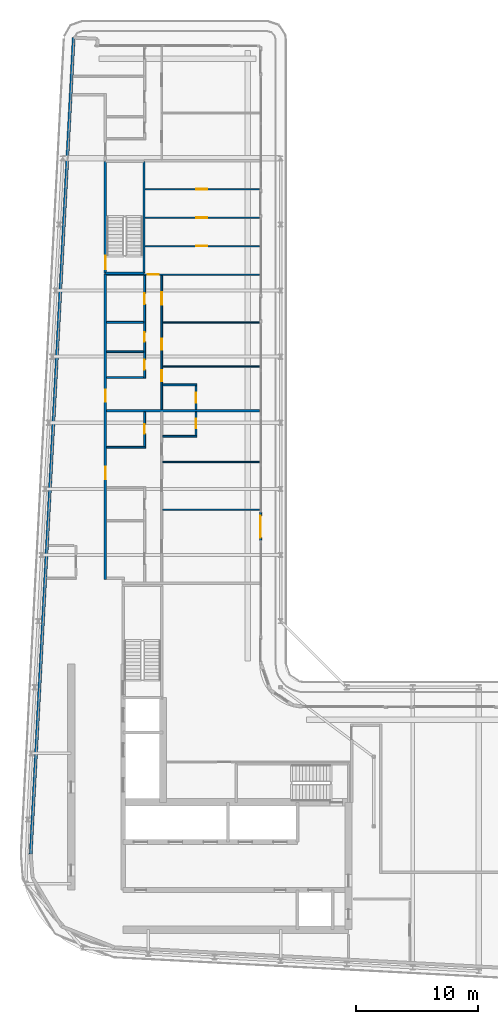
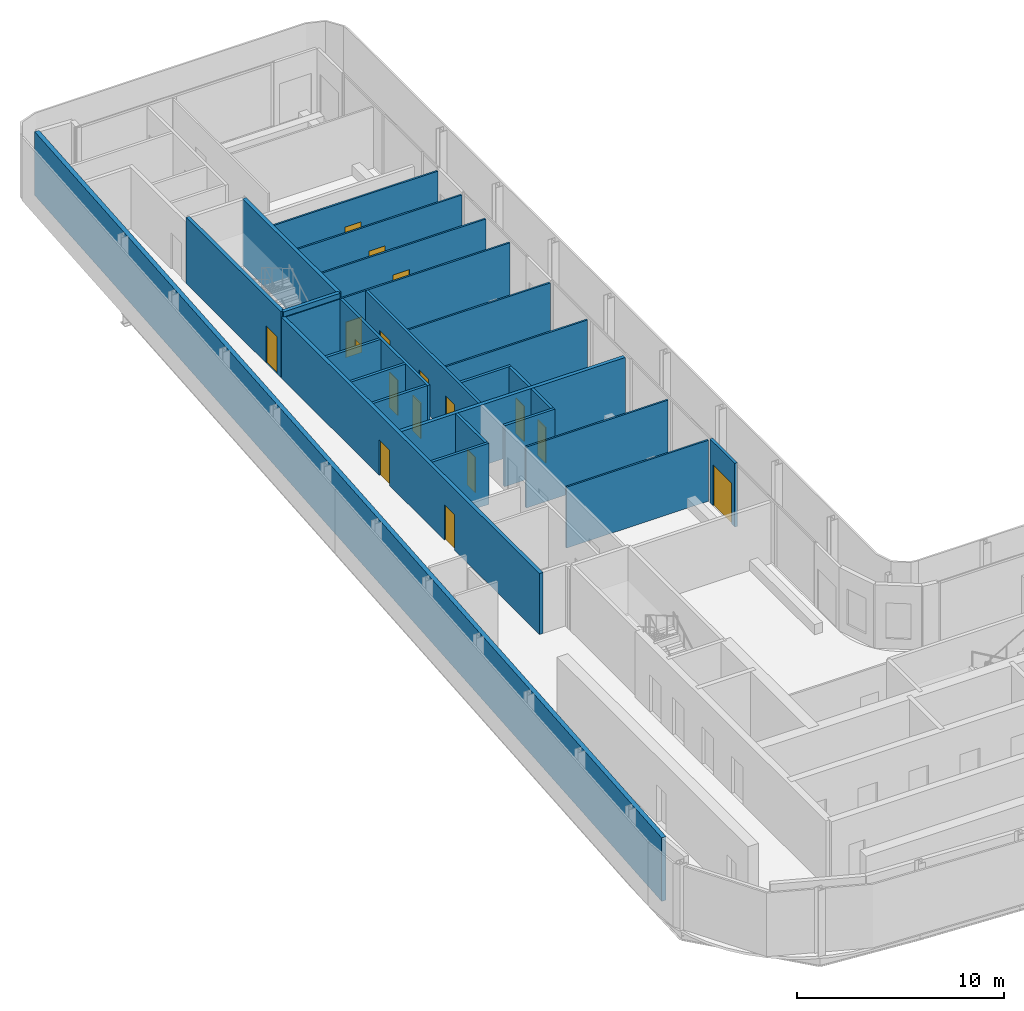
# One storey, part 13 of 20: 26 walls, 17 doors, 17 openings.
"""IFC4 building model written with IfcOpenShell, lengths in metres."""

from ifc_helpers import new_model, si_unit, direction, frame, frame_2d, origin, place, context, subcontext, project, spatial, rectangle, extrude, source, transform, mapped, material, layer, layer_set, type_object, element, fill, save


model = new_model("IFC4")

# Units and contexts
model_context = context("Model", 3, precision=1e-05, world=origin(), true_north=direction((0.0, 1.0)))
body_context = subcontext(model_context, "Body", "Model", "MODEL_VIEW")
ifc_project = project(units=[si_unit("LENGTHUNIT", "METRE"), si_unit("AREAUNIT", "SQUARE_METRE"), si_unit("VOLUMEUNIT", "CUBIC_METRE"), si_unit("PLANEANGLEUNIT", "RADIAN"), si_unit("MASSUNIT", "GRAM", prefix="KILO")], contexts=[model_context])

# Site, building, storey
site_placement = place(None, origin())
site = spatial("IfcSite", under=ifc_project, at=site_placement, CompositionType="ELEMENT")
building_placement = place(site_placement, origin())
building = spatial("IfcBuilding", under=site, at=building_placement, Name="Kheshtan School and Residences Tower", CompositionType="ELEMENT")
storey_placement = place(building_placement, frame((0.0, 0.0, 286.39990234375)))
storey = spatial("IfcBuildingStorey", under=building, at=storey_placement, Name="L67", CompositionType="ELEMENT", Elevation=286.39990234375)

# Wall, openings, doors
ifc_material_1 = material(Name="Gypsum board on steel studs with fire boards", Category="steel")
ifc_layer_1 = layer(ifc_material_1, 0.199951171875)
ifc_layer_set_1 = layer_set([ifc_layer_1], Name="Corridor wall 200")
wall_type_1 = type_object("IfcWallType", Name="Corridor wall 200", PredefinedType="PARTITIONING", material=ifc_layer_set_1)
wall_1_placement = place(storey_placement, frame((33.300048828125, 54.39990234375, 0.0), z_axis=(0.0, 0.0, 1.0), x_axis=(0.0, 1.0, 0.0)))
wall_1 = element("IfcWall", 1, at=wall_1_placement, inside=storey, type_object=wall_type_1, Name="Partition L67-003", PredefinedType="PARTITIONING", context=body_context, shape_type="SweptSolid", body=[
    extrude(rectangle(XDim=24.9501953125, YDim=0.199951171875, at=frame_2d((12.47509765625, 0.0))), origin(), (0.0, 0.0, 1.0), 3.60009765625),
])
opening_1_placement = place(wall_1_placement, frame((8.199951171875, 0.0, 0.0)))
opening_1 = element("IfcOpeningElement", 2, at=opening_1_placement, cuts=wall_1, Name="Opening D66-004", PredefinedType="OPENING", context=body_context, shape_type="SweptSolid", body=[
    extrude(rectangle(XDim=1.0, YDim=2.10009765625, at=frame_2d((0.5, 1.050048828125))), frame((0.0, 0.10986328125, 0.0), z_axis=(0.0, -1.0, 0.0), x_axis=(1.0, 0.0, 0.0)), (0.0, 0.0, 1.0), 0.219970703125),
])
opening_2_placement = place(wall_1_placement, frame((14.5, 0.0, 0.0)))
opening_2 = element("IfcOpeningElement", 3, at=opening_2_placement, cuts=wall_1, Name="Opening D66-012", PredefinedType="OPENING", context=body_context, shape_type="SweptSolid", body=[
    extrude(rectangle(XDim=1.0, YDim=2.10009765625, at=frame_2d((0.5, 1.050048828125))), frame((0.0, 0.10986328125, 0.0), z_axis=(0.0, -1.0, 0.0), x_axis=(1.0, 0.0, 0.0)), (0.0, 0.0, 1.0), 0.219970703125),
])
ifc_material_2 = material(Name="Steel-framed fire-resisting door leaf", Category="steel")
door_type_1 = type_object("IfcDoorType", Name="Fire door FD30S 1000 x 2100", OperationType="SINGLE_SWING_LEFT", PredefinedType="DOOR", material=ifc_material_2)
shared_shape_1 = source(origin(), body_context, "Body", "SweptSolid", [
    extrude(rectangle(XDim=1.0, YDim=2.10009765625, at=frame_2d((0.5, 1.050048828125))), frame((0.0, 0.02490234375, 0.0), z_axis=(0.0, -1.0, 0.0), x_axis=(1.0, 0.0, 0.0)), (0.0, 0.0, 1.0), 0.050048828125),
])
door_1_placement = place(opening_1_placement, origin())
door_1 = element("IfcDoor", 4, at=door_1_placement, inside=storey, type_object=door_type_1, Name="Door D66-004", OperationType="SINGLE_SWING_RIGHT", OverallHeight=2.10009765625, OverallWidth=1.0, PredefinedType="DOOR", context=body_context, shape_type="MappedRepresentation", body=[
    mapped(shared_shape_1, transform((0.0, 0.0, 0.0), x_axis=(1.0, 0.0, 0.0), y_axis=(0.0, 1.0, 0.0), z_axis=(0.0, 0.0, 1.0), scale=1.0)),
])
fill(opening_1, door_1)
door_2_placement = place(opening_2_placement, origin())
door_2 = element("IfcDoor", 5, at=door_2_placement, inside=storey, type_object=door_type_1, Name="Door D66-012", OperationType="SINGLE_SWING_RIGHT", OverallHeight=2.10009765625, OverallWidth=1.0, PredefinedType="DOOR", context=body_context, shape_type="MappedRepresentation", body=[
    mapped(shared_shape_1, transform((0.0, 0.0, 0.0), x_axis=(1.0, 0.0, 0.0), y_axis=(0.0, 1.0, 0.0), z_axis=(0.0, 0.0, 1.0), scale=1.0)),
])
fill(opening_2, door_2)

# Wall
ifc_material_3 = material(Name="Concrete C40/50 with ceramic cladding and mineral wool insulation", Category="concrete")
ifc_layer_2 = layer(ifc_material_3, 0.25)
ifc_layer_set_2 = layer_set([ifc_layer_2], Name="External wall 250 ceramic clad")
wall_type_2 = type_object("IfcWallType", Name="External wall 250 ceramic clad", PredefinedType="SOLIDWALL", material=ifc_layer_set_2)
wall_2_placement = place(storey_placement, frame((27.195068359375, 31.968994140625, 0.0), z_axis=(0.0, 0.0, 1.0), x_axis=(0.052554995867, 0.998618031286, 0.0)))
element("IfcWall", 6, at=wall_2_placement, inside=storey, type_object=wall_type_2, Name="External wall L67 4", PredefinedType="SOLIDWALL", context=body_context, shape_type="SweptSolid", body=[
    extrude(rectangle(XDim=66.787353515625, YDim=0.25, at=frame_2d((33.3935546875, 0.0))), origin(), (0.0, 0.0, 1.0), 3.75),
])

# Wall, opening, door
ifc_material_4 = material(Name="Aluminium frame wall with insulated infill", Category="aluminium")
ifc_layer_3 = layer(ifc_material_4, 0.14990234375)
ifc_layer_set_3 = layer_set([ifc_layer_3], Name="Glazing frame wall 150")
wall_type_3 = type_object("IfcWallType", Name="Glazing frame wall 150", PredefinedType="SOLIDWALL", material=ifc_layer_set_3)
wall_3_placement = place(storey_placement, frame((45.97509765625, 59.924072265625, 0.0), z_axis=(0.0, 0.0, 1.0), x_axis=(0.0, -1.0, 0.0)))
wall_3 = element("IfcWall", 7, at=wall_3_placement, inside=storey, type_object=wall_type_3, Name="Balcony door wall L67 8.4", PredefinedType="SOLIDWALL", context=body_context, shape_type="SweptSolid", body=[
    extrude(rectangle(XDim=2.400146484375, YDim=0.14990234375, at=frame_2d((1.2001953125, 0.0))), origin(), (0.0, 0.0, 1.0), 3.75),
])
opening_3_placement = place(wall_3_placement, frame((0.300048828125, 0.0, 0.0)))
opening_3 = element("IfcOpeningElement", 8, at=opening_3_placement, cuts=wall_3, Name="Opening BD", PredefinedType="OPENING", context=body_context, shape_type="SweptSolid", body=[
    extrude(rectangle(XDim=1.800048828125, YDim=2.39990234375, at=frame_2d((0.89990234375, 1.199951171875))), frame((0.0, 0.0849609375, 0.0), z_axis=(0.0, -1.0, 0.0), x_axis=(1.0, 0.0, 0.0)), (0.0, 0.0, 1.0), 0.169921875),
])
ifc_material_5 = material(Name="Clear low-e glass in thermally broken aluminium frame", Category="aluminium")
door_type_2 = type_object("IfcDoorType", Name="Balcony sliding door", OperationType="SLIDING_TO_LEFT", PredefinedType="DOOR", material=ifc_material_5)
shared_shape_2 = source(origin(), body_context, "Body", "SweptSolid", [
    extrude(rectangle(XDim=1.800048828125, YDim=2.39990234375, at=frame_2d((0.89990234375, 1.199951171875))), frame((0.0, 0.02490234375, 0.0), z_axis=(0.0, -1.0, 0.0), x_axis=(1.0, 0.0, 0.0)), (0.0, 0.0, 1.0), 0.050048828125),
])
door_3_placement = place(opening_3_placement, origin())
door_3 = element("IfcDoor", 9, at=door_3_placement, inside=storey, type_object=door_type_2, Name="Balcony door L67 8.4", OperationType="SLIDING_TO_LEFT", OverallHeight=2.39990234375, OverallWidth=1.800048828125, PredefinedType="DOOR", context=body_context, shape_type="MappedRepresentation", body=[
    mapped(shared_shape_2, transform((0.0, 0.0, 0.0), x_axis=(1.0, 0.0, 0.0), y_axis=(0.0, 1.0, 0.0), z_axis=(0.0, 0.0, 1.0), scale=1.0)),
])
fill(opening_3, door_3)

ifc_material_6 = material(Name="Gypsum board on steel studs", Category="steel")
ifc_layer_4 = layer(ifc_material_6, 0.10009765625)
ifc_layer_set_4 = layer_set([ifc_layer_4], Name="Gypsum partition 100")
wall_type_4 = type_object("IfcWallType", Name="Gypsum partition 100", PredefinedType="PARTITIONING", material=ifc_layer_set_4)
wall_4_placement = place(storey_placement, frame((33.39990234375, 79.300048828125, 0.0), z_axis=(0.0, 0.0, 1.0), x_axis=(1.0, 0.0, 0.0)))
wall_4 = element("IfcWall", 10, at=wall_4_placement, inside=storey, type_object=wall_type_4, Name="Partition L67-013", PredefinedType="PARTITIONING", context=body_context, shape_type="SweptSolid", body=[
    extrude(rectangle(XDim=12.5, YDim=0.10009765625, at=frame_2d((6.25, 0.0))), origin(), (0.0, 0.0, 1.0), 3.60009765625),
])
opening_4_placement = place(wall_4_placement, frame((3.35498046875, 0.0, 0.0)))
opening_4 = element("IfcOpeningElement", 11, at=opening_4_placement, cuts=wall_4, Name="Opening D66-017", PredefinedType="OPENING", context=body_context, shape_type="SweptSolid", body=[
    extrude(rectangle(XDim=0.89990234375, YDim=2.10009765625, at=frame_2d((0.449951171875, 1.050048828125))), frame((0.0, 0.06005859375, 0.0), z_axis=(0.0, -1.0, 0.0), x_axis=(1.0, 0.0, 0.0)), (0.0, 0.0, 1.0), 0.1201171875),
])
ifc_material_7 = material(Name="Veneered timber door leaf", Category="wood")
door_type_3 = type_object("IfcDoorType", Name="Door 900 x 2100", OperationType="SINGLE_SWING_LEFT", PredefinedType="DOOR", material=ifc_material_7)
shared_shape_3 = source(origin(), body_context, "Body", "SweptSolid", [
    extrude(rectangle(XDim=0.89990234375, YDim=2.10009765625, at=frame_2d((0.449951171875, 1.050048828125))), frame((0.0, 0.02490234375, 0.0), z_axis=(0.0, -1.0, 0.0), x_axis=(1.0, 0.0, 0.0)), (0.0, 0.0, 1.0), 0.050048828125),
])
door_4_placement = place(opening_4_placement, origin())
door_4 = element("IfcDoor", 12, at=door_4_placement, inside=storey, type_object=door_type_3, Name="Door D66-017", OperationType="SINGLE_SWING_LEFT", OverallHeight=2.10009765625, OverallWidth=0.89990234375, PredefinedType="DOOR", context=body_context, shape_type="MappedRepresentation", body=[
    mapped(shared_shape_3, transform((0.0, 0.0, 0.0), x_axis=(1.0, 0.0, 0.0), y_axis=(0.0, 1.0, 0.0), z_axis=(0.0, 0.0, 1.0), scale=1.0)),
])
fill(opening_4, door_4)

wall_5_placement = place(storey_placement, frame((36.549072265625, 81.625, 0.0), z_axis=(0.0, 0.0, 1.0), x_axis=(1.0, 0.0, 0.0)))
wall_5 = element("IfcWall", 13, at=wall_5_placement, inside=storey, type_object=wall_type_4, Name="Partition L67-023", PredefinedType="PARTITIONING", context=body_context, shape_type="SweptSolid", body=[
    extrude(rectangle(XDim=9.350830078125, YDim=0.10009765625, at=frame_2d((4.67529296875, 0.0))), origin(), (0.0, 0.0, 1.0), 3.60009765625),
])
opening_5_placement = place(wall_5_placement, frame((4.176025390625, 0.0, 0.0)))
opening_5 = element("IfcOpeningElement", 14, at=opening_5_placement, cuts=wall_5, Name="Opening D66-018", PredefinedType="OPENING", context=body_context, shape_type="SweptSolid", body=[
    extrude(rectangle(XDim=0.89990234375, YDim=2.10009765625, at=frame_2d((0.449951171875, 1.050048828125))), frame((0.0, 0.06005859375, 0.0), z_axis=(0.0, -1.0, 0.0), x_axis=(1.0, 0.0, 0.0)), (0.0, 0.0, 1.0), 0.1201171875),
])
door_5_placement = place(opening_5_placement, origin())
door_5 = element("IfcDoor", 15, at=door_5_placement, inside=storey, type_object=door_type_3, Name="Door D66-018", OperationType="SINGLE_SWING_RIGHT", OverallHeight=2.10009765625, OverallWidth=0.89990234375, PredefinedType="DOOR", context=body_context, shape_type="MappedRepresentation", body=[
    mapped(shared_shape_3, transform((0.0, 0.0, 0.0), x_axis=(1.0, 0.0, 0.0), y_axis=(0.0, 1.0, 0.0), z_axis=(0.0, 0.0, 1.0), scale=1.0)),
])
fill(opening_5, door_5)

wall_6_placement = place(storey_placement, frame((36.549072265625, 83.949951171875, 0.0), z_axis=(0.0, 0.0, 1.0), x_axis=(1.0, 0.0, 0.0)))
wall_6 = element("IfcWall", 16, at=wall_6_placement, inside=storey, type_object=wall_type_4, Name="Partition L67-024", PredefinedType="PARTITIONING", context=body_context, shape_type="SweptSolid", body=[
    extrude(rectangle(XDim=9.350830078125, YDim=0.10009765625, at=frame_2d((4.67529296875, 0.0))), origin(), (0.0, 0.0, 1.0), 3.60009765625),
])
opening_6_placement = place(wall_6_placement, frame((4.176025390625, 0.0, 0.0)))
opening_6 = element("IfcOpeningElement", 17, at=opening_6_placement, cuts=wall_6, Name="Opening D66-019", PredefinedType="OPENING", context=body_context, shape_type="SweptSolid", body=[
    extrude(rectangle(XDim=0.89990234375, YDim=2.10009765625, at=frame_2d((0.449951171875, 1.050048828125))), frame((0.0, 0.06005859375, 0.0), z_axis=(0.0, -1.0, 0.0), x_axis=(1.0, 0.0, 0.0)), (0.0, 0.0, 1.0), 0.1201171875),
])
door_6_placement = place(opening_6_placement, origin())
door_6 = element("IfcDoor", 18, at=door_6_placement, inside=storey, type_object=door_type_3, Name="Door D66-019", OperationType="SINGLE_SWING_RIGHT", OverallHeight=2.10009765625, OverallWidth=0.89990234375, PredefinedType="DOOR", context=body_context, shape_type="MappedRepresentation", body=[
    mapped(shared_shape_3, transform((0.0, 0.0, 0.0), x_axis=(1.0, 0.0, 0.0), y_axis=(0.0, 1.0, 0.0), z_axis=(0.0, 0.0, 1.0), scale=1.0)),
])
fill(opening_6, door_6)

wall_7_placement = place(storey_placement, frame((36.549072265625, 86.27490234375, 0.0), z_axis=(0.0, 0.0, 1.0), x_axis=(1.0, 0.0, 0.0)))
wall_7 = element("IfcWall", 19, at=wall_7_placement, inside=storey, type_object=wall_type_4, Name="Partition L67-025", PredefinedType="PARTITIONING", context=body_context, shape_type="SweptSolid", body=[
    extrude(rectangle(XDim=9.350830078125, YDim=0.10009765625, at=frame_2d((4.67529296875, 0.0))), origin(), (0.0, 0.0, 1.0), 3.60009765625),
])
opening_7_placement = place(wall_7_placement, frame((4.176025390625, 0.0, 0.0)))
opening_7 = element("IfcOpeningElement", 20, at=opening_7_placement, cuts=wall_7, Name="Opening D66-020", PredefinedType="OPENING", context=body_context, shape_type="SweptSolid", body=[
    extrude(rectangle(XDim=0.89990234375, YDim=2.10009765625, at=frame_2d((0.449951171875, 1.050048828125))), frame((0.0, 0.06005859375, 0.0), z_axis=(0.0, -1.0, 0.0), x_axis=(1.0, 0.0, 0.0)), (0.0, 0.0, 1.0), 0.1201171875),
])
door_7_placement = place(opening_7_placement, origin())
door_7 = element("IfcDoor", 21, at=door_7_placement, inside=storey, type_object=door_type_3, Name="Door D66-020", OperationType="SINGLE_SWING_RIGHT", OverallHeight=2.10009765625, OverallWidth=0.89990234375, PredefinedType="DOOR", context=body_context, shape_type="MappedRepresentation", body=[
    mapped(shared_shape_3, transform((0.0, 0.0, 0.0), x_axis=(1.0, 0.0, 0.0), y_axis=(0.0, 1.0, 0.0), z_axis=(0.0, 0.0, 1.0), scale=1.0)),
])
fill(opening_7, door_7)

# Walls
for number, where, z_axis, x_axis, name in (
    (22, (37.97509765625, 60.10009765625, 0.0), (0.0, 0.0, 1.0), (1.0, 0.0, 0.0), "Partition L67-030"),
    (23, (37.97509765625, 64.0, 0.0), (0.0, 0.0, 1.0), (1.0, 0.0, 0.0), "Partition L67-031"),
    (24, (37.97509765625, 71.800048828125, 0.0), (0.0, 0.0, 1.0), (1.0, 0.0, 0.0), "Partition L67-034"),
    (25, (37.97509765625, 75.39990234375, 0.0), (0.0, 0.0, 1.0), (1.0, 0.0, 0.0), "Partition L67-035"),
):
    element("IfcWall", number, at=place(storey_placement, frame(where, z_axis=z_axis, x_axis=x_axis)), inside=storey, type_object=wall_type_4, Name=name, PredefinedType="PARTITIONING", context=body_context, shape_type="SweptSolid", body=[
        extrude(rectangle(XDim=7.9248046875, YDim=0.10009765625, at=frame_2d((3.96240234375, 0.0))), origin(), (0.0, 0.0, 1.0), 3.60009765625),
    ])
ifc_material_8 = material(Name="Concrete C40/50", Category="concrete")
ifc_layer_5 = layer(ifc_material_8, 0.199951171875)
ifc_layer_set_5 = layer_set([ifc_layer_5], Name="Stair enclosure wall 200 Concrete C40/50")
wall_type_5 = type_object("IfcWallType", Name="Stair enclosure wall 200 Concrete C40/50", PredefinedType="SHEAR", material=ifc_layer_set_5)
wall_8_placement = place(storey_placement, frame((33.300048828125, 79.39990234375, 0.0), z_axis=(0.0, 0.0, 1.0), x_axis=(1.0, 0.0, 0.0)))
element("IfcWall", 26, at=wall_8_placement, inside=storey, type_object=wall_type_5, Name="Stair enclosure wall ST3", PredefinedType="SHEAR", context=body_context, shape_type="SweptSolid", body=[
    extrude(rectangle(XDim=3.14990234375, YDim=0.199951171875, at=frame_2d((1.574951171875, 0.0))), origin(), (0.0, 0.0, 1.0), 3.900146484375),
])

# Wall, opening, door
wall_9_placement = place(storey_placement, frame((33.300048828125, 79.39990234375, 0.0), z_axis=(0.0, 0.0, 1.0), x_axis=(0.0, 1.0, 0.0)))
wall_9 = element("IfcWall", 27, at=wall_9_placement, inside=storey, type_object=wall_type_5, Name="Stair enclosure wall ST3", PredefinedType="SHEAR", context=body_context, shape_type="SweptSolid", body=[
    extrude(rectangle(XDim=9.16015625, YDim=0.199951171875, at=frame_2d((4.580078125, 0.0))), origin(), (0.0, 0.0, 1.0), 3.900146484375),
])
opening_8_placement = place(wall_9_placement, frame((0.35009765625, 0.0, 0.0)))
opening_8 = element("IfcOpeningElement", 28, at=opening_8_placement, cuts=wall_9, Name="Opening ST3D", PredefinedType="OPENING", context=body_context, shape_type="SweptSolid", body=[
    extrude(rectangle(XDim=1.10009765625, YDim=2.199951171875, at=frame_2d((0.550048828125, 1.10009765625))), frame((0.0, 0.10986328125, 0.0), z_axis=(0.0, -1.0, 0.0), x_axis=(1.0, 0.0, 0.0)), (0.0, 0.0, 1.0), 0.219970703125),
])
ifc_material_9 = material(Name="Steel door leaf, galvanised", Category="steel")
door_type_4 = type_object("IfcDoorType", Name="Stair door 1100 steel 90 min", OperationType="SINGLE_SWING_LEFT", PredefinedType="DOOR", material=ifc_material_9)
shared_shape_4 = source(origin(), body_context, "Body", "SweptSolid", [
    extrude(rectangle(XDim=1.10009765625, YDim=2.199951171875, at=frame_2d((0.550048828125, 1.10009765625))), frame((0.0, 0.02490234375, 0.0), z_axis=(0.0, -1.0, 0.0), x_axis=(1.0, 0.0, 0.0)), (0.0, 0.0, 1.0), 0.050048828125),
])
door_8_placement = place(opening_8_placement, origin())
door_8 = element("IfcDoor", 29, at=door_8_placement, inside=storey, type_object=door_type_4, Name="Stair ST3 door", OperationType="SINGLE_SWING_RIGHT", OverallHeight=2.199951171875, OverallWidth=1.10009765625, PredefinedType="DOOR", context=body_context, shape_type="MappedRepresentation", body=[
    mapped(shared_shape_4, transform((0.0, 0.0, 0.0), x_axis=(1.0, 0.0, 0.0), y_axis=(0.0, 1.0, 0.0), z_axis=(0.0, 0.0, 1.0), scale=1.0)),
])
fill(opening_8, door_8)

# Walls
wall_10_placement = place(storey_placement, frame((36.449951171875, 79.39990234375, 0.0), z_axis=(0.0, 0.0, 1.0), x_axis=(0.0, 1.0, 0.0)))
element("IfcWall", 30, at=wall_10_placement, inside=storey, type_object=wall_type_5, Name="Stair enclosure wall ST3", PredefinedType="SHEAR", context=body_context, shape_type="SweptSolid", body=[
    extrude(rectangle(XDim=9.16015625, YDim=0.199951171875, at=frame_2d((4.580078125, 0.0))), origin(), (0.0, 0.0, 1.0), 3.900146484375),
])
ifc_material_10 = material(Name="Twin gypsum board on steel studs with mineral wool", Category="steel")
ifc_layer_6 = layer(ifc_material_10, 0.199951171875)
ifc_layer_set_6 = layer_set([ifc_layer_6], Name="Unit demising wall 200")
wall_type_6 = type_object("IfcWallType", Name="Unit demising wall 200", PredefinedType="PARTITIONING", material=ifc_layer_set_6)
wall_11_placement = place(storey_placement, frame((33.39990234375, 68.199951171875, 0.0), z_axis=(0.0, 0.0, 1.0), x_axis=(1.0, 0.0, 0.0)))
element("IfcWall", 31, at=wall_11_placement, inside=storey, type_object=wall_type_6, Name="Partition L67-009", PredefinedType="PARTITIONING", context=body_context, shape_type="SweptSolid", body=[
    extrude(rectangle(XDim=12.5, YDim=0.199951171875, at=frame_2d((6.25, 0.0))), origin(), (0.0, 0.0, 1.0), 3.60009765625),
])
ifc_material_11 = material(Name="Moisture-resistant gypsum board on steel studs", Category="steel")
ifc_layer_7 = layer(ifc_material_11, 0.14990234375)
ifc_layer_set_7 = layer_set([ifc_layer_7], Name="Wet-room partition 150")
wall_type_7 = type_object("IfcWallType", Name="Wet-room partition 150", PredefinedType="PARTITIONING", material=ifc_layer_set_7)
wall_12_placement = place(storey_placement, frame((33.39990234375, 65.199951171875, 0.0), z_axis=(0.0, 0.0, 1.0), x_axis=(1.0, 0.0, 0.0)))
element("IfcWall", 32, at=wall_12_placement, inside=storey, type_object=wall_type_7, Name="Partition L67-008", PredefinedType="PARTITIONING", context=body_context, shape_type="SweptSolid", body=[
    extrude(rectangle(XDim=3.175048828125, YDim=0.14990234375, at=frame_2d((1.58740234375, 0.0))), origin(), (0.0, 0.0, 1.0), 3.60009765625),
])
for number, where, z_axis, x_axis, name in (
    (33, (33.39990234375, 70.89990234375, 0.0), (0.0, 0.0, 1.0), (1.0, 0.0, 0.0), "Partition L67-010"),
    (34, (33.39990234375, 73.0, 0.0), (0.0, 0.0, 1.0), (1.0, 0.0, 0.0), "Partition L67-011"),
    (35, (33.39990234375, 75.39990234375, 0.0), (0.0, 0.0, 1.0), (1.0, 0.0, 0.0), "Partition L67-012"),
):
    element("IfcWall", number, at=place(storey_placement, frame(where, z_axis=z_axis, x_axis=x_axis)), inside=storey, type_object=wall_type_7, Name=name, PredefinedType="PARTITIONING", context=body_context, shape_type="SweptSolid", body=[
        extrude(rectangle(XDim=3.025146484375, YDim=0.14990234375, at=frame_2d((1.5126953125, 0.0))), origin(), (0.0, 0.0, 1.0), 3.60009765625),
    ])

# Wall, opening, door
wall_13_placement = place(storey_placement, frame((36.5, 65.27490234375, 0.0), z_axis=(0.0, 0.0, 1.0), x_axis=(0.0, 1.0, 0.0)))
wall_13 = element("IfcWall", 36, at=wall_13_placement, inside=storey, type_object=wall_type_7, Name="Partition L67-019", PredefinedType="PARTITIONING", context=body_context, shape_type="SweptSolid", body=[
    extrude(rectangle(XDim=2.8251953125, YDim=0.14990234375, at=frame_2d((1.41259765625, 0.0))), origin(), (0.0, 0.0, 1.0), 3.60009765625),
])
opening_9_placement = place(wall_13_placement, frame((1.02490234375, 0.0, 0.0)))
opening_9 = element("IfcOpeningElement", 37, at=opening_9_placement, cuts=wall_13, Name="Opening D66-001", PredefinedType="OPENING", context=body_context, shape_type="SweptSolid", body=[
    extrude(rectangle(XDim=0.800048828125, YDim=2.10009765625, at=frame_2d((0.39990234375, 1.050048828125))), frame((0.0, 0.0849609375, 0.0), z_axis=(0.0, -1.0, 0.0), x_axis=(1.0, 0.0, 0.0)), (0.0, 0.0, 1.0), 0.169921875),
])
door_type_5 = type_object("IfcDoorType", Name="Door 800 x 2100", OperationType="SINGLE_SWING_LEFT", PredefinedType="DOOR", material=ifc_material_7)
shared_shape_5 = source(origin(), body_context, "Body", "SweptSolid", [
    extrude(rectangle(XDim=0.800048828125, YDim=2.10009765625, at=frame_2d((0.39990234375, 1.050048828125))), frame((0.0, 0.02490234375, 0.0), z_axis=(0.0, -1.0, 0.0), x_axis=(1.0, 0.0, 0.0)), (0.0, 0.0, 1.0), 0.050048828125),
])
door_9_placement = place(opening_9_placement, origin())
door_9 = element("IfcDoor", 38, at=door_9_placement, inside=storey, type_object=door_type_5, Name="Door D66-001", OperationType="SINGLE_SWING_RIGHT", OverallHeight=2.10009765625, OverallWidth=0.800048828125, PredefinedType="DOOR", context=body_context, shape_type="MappedRepresentation", body=[
    mapped(shared_shape_5, transform((0.0, 0.0, 0.0), x_axis=(1.0, 0.0, 0.0), y_axis=(0.0, 1.0, 0.0), z_axis=(0.0, 0.0, 1.0), scale=1.0)),
])
fill(opening_9, door_9)

# Wall, openings, doors
wall_14_placement = place(storey_placement, frame((36.5, 70.824951171875, 0.0), z_axis=(0.0, 0.0, 1.0), x_axis=(0.0, 1.0, 0.0)))
wall_14 = element("IfcWall", 39, at=wall_14_placement, inside=storey, type_object=wall_type_7, Name="Partition L67-020", PredefinedType="PARTITIONING", context=body_context, shape_type="SweptSolid", body=[
    extrude(rectangle(XDim=8.425048828125, YDim=0.14990234375, at=frame_2d((4.21240234375, 0.0))), origin(), (0.0, 0.0, 1.0), 3.60009765625),
])
opening_10_placement = place(wall_14_placement, frame((2.97509765625, 0.0, 0.0)))
opening_10 = element("IfcOpeningElement", 40, at=opening_10_placement, cuts=wall_14, Name="Opening D66-009", PredefinedType="OPENING", context=body_context, shape_type="SweptSolid", body=[
    extrude(rectangle(XDim=0.800048828125, YDim=2.10009765625, at=frame_2d((0.39990234375, 1.050048828125))), frame((0.0, 0.0849609375, 0.0), z_axis=(0.0, -1.0, 0.0), x_axis=(1.0, 0.0, 0.0)), (0.0, 0.0, 1.0), 0.169921875),
])
opening_11_placement = place(wall_14_placement, frame((6.074951171875, 0.0, 0.0)))
opening_11 = element("IfcOpeningElement", 41, at=opening_11_placement, cuts=wall_14, Name="Opening D66-013", PredefinedType="OPENING", context=body_context, shape_type="SweptSolid", body=[
    extrude(rectangle(XDim=0.89990234375, YDim=2.10009765625, at=frame_2d((0.449951171875, 1.050048828125))), frame((0.0, 0.0849609375, 0.0), z_axis=(0.0, -1.0, 0.0), x_axis=(1.0, 0.0, 0.0)), (0.0, 0.0, 1.0), 0.169921875),
])
opening_12_placement = place(wall_14_placement, frame((0.72509765625, 0.0, 0.0)))
opening_12 = element("IfcOpeningElement", 42, at=opening_12_placement, cuts=wall_14, Name="Opening D66-016", PredefinedType="OPENING", context=body_context, shape_type="SweptSolid", body=[
    extrude(rectangle(XDim=0.800048828125, YDim=2.10009765625, at=frame_2d((0.39990234375, 1.050048828125))), frame((0.0, 0.0849609375, 0.0), z_axis=(0.0, -1.0, 0.0), x_axis=(1.0, 0.0, 0.0)), (0.0, 0.0, 1.0), 0.169921875),
])
door_10_placement = place(opening_10_placement, origin())
door_10 = element("IfcDoor", 43, at=door_10_placement, inside=storey, type_object=door_type_5, Name="Door D66-009", OperationType="SINGLE_SWING_RIGHT", OverallHeight=2.10009765625, OverallWidth=0.800048828125, PredefinedType="DOOR", context=body_context, shape_type="MappedRepresentation", body=[
    mapped(shared_shape_5, transform((0.0, 0.0, 0.0), x_axis=(1.0, 0.0, 0.0), y_axis=(0.0, 1.0, 0.0), z_axis=(0.0, 0.0, 1.0), scale=1.0)),
])
fill(opening_10, door_10)
door_11_placement = place(opening_12_placement, origin())
door_11 = element("IfcDoor", 44, at=door_11_placement, inside=storey, type_object=door_type_5, Name="Door D66-016", OperationType="SINGLE_SWING_LEFT", OverallHeight=2.10009765625, OverallWidth=0.800048828125, PredefinedType="DOOR", context=body_context, shape_type="MappedRepresentation", body=[
    mapped(shared_shape_5, transform((0.0, 0.0, 0.0), x_axis=(1.0, 0.0, 0.0), y_axis=(0.0, 1.0, 0.0), z_axis=(0.0, 0.0, 1.0), scale=1.0)),
])
fill(opening_12, door_11)
door_12_placement = place(opening_11_placement, origin())
door_12 = element("IfcDoor", 45, at=door_12_placement, inside=storey, type_object=door_type_3, Name="Door D66-013", OperationType="SINGLE_SWING_LEFT", OverallHeight=2.10009765625, OverallWidth=0.89990234375, PredefinedType="DOOR", context=body_context, shape_type="MappedRepresentation", body=[
    mapped(shared_shape_3, transform((0.0, 0.0, 0.0), x_axis=(1.0, 0.0, 0.0), y_axis=(0.0, 1.0, 0.0), z_axis=(0.0, 0.0, 1.0), scale=1.0)),
])
fill(opening_11, door_12)

wall_15_placement = place(storey_placement, frame((37.89990234375, 68.300048828125, 0.0), z_axis=(0.0, 0.0, 1.0), x_axis=(0.0, 1.0, 0.0)))
wall_15 = element("IfcWall", 46, at=wall_15_placement, inside=storey, type_object=wall_type_7, Name="Partition L67-027", PredefinedType="PARTITIONING", context=body_context, shape_type="SweptSolid", body=[
    extrude(rectangle(XDim=10.949951171875, YDim=0.14990234375, at=frame_2d((5.47509765625, 0.0))), origin(), (0.0, 0.0, 1.0), 3.60009765625),
])
opening_13_placement = place(wall_15_placement, frame((4.85009765625, 0.0, 0.0)))
opening_13 = element("IfcOpeningElement", 47, at=opening_13_placement, cuts=wall_15, Name="Opening D66-010", PredefinedType="OPENING", context=body_context, shape_type="SweptSolid", body=[
    extrude(rectangle(XDim=0.89990234375, YDim=2.10009765625, at=frame_2d((0.449951171875, 1.050048828125))), frame((0.0, 0.0849609375, 0.0), z_axis=(0.0, -1.0, 0.0), x_axis=(1.0, 0.0, 0.0)), (0.0, 0.0, 1.0), 0.169921875),
])
opening_14_placement = place(wall_15_placement, frame((8.550048828125, 0.0, 0.0)))
opening_14 = element("IfcOpeningElement", 48, at=opening_14_placement, cuts=wall_15, Name="Opening D66-014", PredefinedType="OPENING", context=body_context, shape_type="SweptSolid", body=[
    extrude(rectangle(XDim=1.0, YDim=2.10009765625, at=frame_2d((0.5, 1.050048828125))), frame((0.0, 0.0849609375, 0.0), z_axis=(0.0, -1.0, 0.0), x_axis=(1.0, 0.0, 0.0)), (0.0, 0.0, 1.0), 0.169921875),
])
opening_15_placement = place(wall_15_placement, frame((2.300048828125, 0.0, 0.0)))
opening_15 = element("IfcOpeningElement", 49, at=opening_15_placement, cuts=wall_15, Name="Opening D66-015", PredefinedType="OPENING", context=body_context, shape_type="SweptSolid", body=[
    extrude(rectangle(XDim=0.89990234375, YDim=2.10009765625, at=frame_2d((0.449951171875, 1.050048828125))), frame((0.0, 0.0849609375, 0.0), z_axis=(0.0, -1.0, 0.0), x_axis=(1.0, 0.0, 0.0)), (0.0, 0.0, 1.0), 0.169921875),
])
door_type_6 = type_object("IfcDoorType", Name="Door 1000 x 2100", OperationType="SINGLE_SWING_LEFT", PredefinedType="DOOR", material=ifc_material_7)
shared_shape_6 = source(origin(), body_context, "Body", "SweptSolid", [
    extrude(rectangle(XDim=1.0, YDim=2.10009765625, at=frame_2d((0.5, 1.050048828125))), frame((0.0, 0.02490234375, 0.0), z_axis=(0.0, -1.0, 0.0), x_axis=(1.0, 0.0, 0.0)), (0.0, 0.0, 1.0), 0.050048828125),
])
door_13_placement = place(opening_14_placement, origin())
door_13 = element("IfcDoor", 50, at=door_13_placement, inside=storey, type_object=door_type_6, Name="Door D66-014", OperationType="SINGLE_SWING_RIGHT", OverallHeight=2.10009765625, OverallWidth=1.0, PredefinedType="DOOR", context=body_context, shape_type="MappedRepresentation", body=[
    mapped(shared_shape_6, transform((0.0, 0.0, 0.0), x_axis=(1.0, 0.0, 0.0), y_axis=(0.0, 1.0, 0.0), z_axis=(0.0, 0.0, 1.0), scale=1.0)),
])
fill(opening_14, door_13)
door_14_placement = place(opening_13_placement, origin())
door_14 = element("IfcDoor", 51, at=door_14_placement, inside=storey, type_object=door_type_3, Name="Door D66-010", OperationType="SINGLE_SWING_RIGHT", OverallHeight=2.10009765625, OverallWidth=0.89990234375, PredefinedType="DOOR", context=body_context, shape_type="MappedRepresentation", body=[
    mapped(shared_shape_3, transform((0.0, 0.0, 0.0), x_axis=(1.0, 0.0, 0.0), y_axis=(0.0, 1.0, 0.0), z_axis=(0.0, 0.0, 1.0), scale=1.0)),
])
fill(opening_13, door_14)
door_15_placement = place(opening_15_placement, origin())
door_15 = element("IfcDoor", 52, at=door_15_placement, inside=storey, type_object=door_type_3, Name="Door D66-015", OperationType="SINGLE_SWING_RIGHT", OverallHeight=2.10009765625, OverallWidth=0.89990234375, PredefinedType="DOOR", context=body_context, shape_type="MappedRepresentation", body=[
    mapped(shared_shape_3, transform((0.0, 0.0, 0.0), x_axis=(1.0, 0.0, 0.0), y_axis=(0.0, 1.0, 0.0), z_axis=(0.0, 0.0, 1.0), scale=1.0)),
])
fill(opening_15, door_15)

# Walls
for number, where, z_axis, x_axis, name in (
    (53, (37.97509765625, 66.10009765625, 0.0), (0.0, 0.0, 1.0), (1.0, 0.0, 0.0), "Partition L67-032"),
    (54, (37.97509765625, 70.300048828125, 0.0), (0.0, 0.0, 1.0), (1.0, 0.0, 0.0), "Partition L67-033"),
):
    element("IfcWall", number, at=place(storey_placement, frame(where, z_axis=z_axis, x_axis=x_axis)), inside=storey, type_object=wall_type_7, Name=name, PredefinedType="PARTITIONING", context=body_context, shape_type="SweptSolid", body=[
        extrude(rectangle(XDim=2.7998046875, YDim=0.14990234375, at=frame_2d((1.39990234375, 0.0))), origin(), (0.0, 0.0, 1.0), 3.60009765625),
    ])

# Wall, opening, door
wall_16_placement = place(storey_placement, frame((40.699951171875, 66.175048828125, 0.0), z_axis=(0.0, 0.0, 1.0), x_axis=(0.0, 1.0, 0.0)))
wall_16 = element("IfcWall", 55, at=wall_16_placement, inside=storey, type_object=wall_type_7, Name="Partition L67-037", PredefinedType="PARTITIONING", context=body_context, shape_type="SweptSolid", body=[
    extrude(rectangle(XDim=1.925048828125, YDim=0.14990234375, at=frame_2d((0.96240234375, 0.0))), origin(), (0.0, 0.0, 1.0), 3.60009765625),
])
opening_16_placement = place(wall_16_placement, frame((0.574951171875, 0.0, 0.0)))
opening_16 = element("IfcOpeningElement", 56, at=opening_16_placement, cuts=wall_16, Name="Opening D66-003", PredefinedType="OPENING", context=body_context, shape_type="SweptSolid", body=[
    extrude(rectangle(XDim=0.800048828125, YDim=2.10009765625, at=frame_2d((0.39990234375, 1.050048828125))), frame((0.0, 0.0849609375, 0.0), z_axis=(0.0, -1.0, 0.0), x_axis=(1.0, 0.0, 0.0)), (0.0, 0.0, 1.0), 0.169921875),
])
door_16_placement = place(opening_16_placement, origin())
door_16 = element("IfcDoor", 57, at=door_16_placement, inside=storey, type_object=door_type_5, Name="Door D66-003", OperationType="SINGLE_SWING_RIGHT", OverallHeight=2.10009765625, OverallWidth=0.800048828125, PredefinedType="DOOR", context=body_context, shape_type="MappedRepresentation", body=[
    mapped(shared_shape_5, transform((0.0, 0.0, 0.0), x_axis=(1.0, 0.0, 0.0), y_axis=(0.0, 1.0, 0.0), z_axis=(0.0, 0.0, 1.0), scale=1.0)),
])
fill(opening_16, door_16)

wall_17_placement = place(storey_placement, frame((40.699951171875, 68.300048828125, 0.0), z_axis=(0.0, 0.0, 1.0), x_axis=(0.0, 1.0, 0.0)))
wall_17 = element("IfcWall", 58, at=wall_17_placement, inside=storey, type_object=wall_type_7, Name="Partition L67-038", PredefinedType="PARTITIONING", context=body_context, shape_type="SweptSolid", body=[
    extrude(rectangle(XDim=1.925048828125, YDim=0.14990234375, at=frame_2d((0.96240234375, 0.0))), origin(), (0.0, 0.0, 1.0), 3.60009765625),
])
opening_17_placement = place(wall_17_placement, frame((0.550048828125, 0.0, 0.0)))
opening_17 = element("IfcOpeningElement", 59, at=opening_17_placement, cuts=wall_17, Name="Opening D66-011", PredefinedType="OPENING", context=body_context, shape_type="SweptSolid", body=[
    extrude(rectangle(XDim=0.800048828125, YDim=2.10009765625, at=frame_2d((0.39990234375, 1.050048828125))), frame((0.0, 0.0849609375, 0.0), z_axis=(0.0, -1.0, 0.0), x_axis=(1.0, 0.0, 0.0)), (0.0, 0.0, 1.0), 0.169921875),
])
door_17_placement = place(opening_17_placement, origin())
door_17 = element("IfcDoor", 60, at=door_17_placement, inside=storey, type_object=door_type_5, Name="Door D66-011", OperationType="SINGLE_SWING_RIGHT", OverallHeight=2.10009765625, OverallWidth=0.800048828125, PredefinedType="DOOR", context=body_context, shape_type="MappedRepresentation", body=[
    mapped(shared_shape_5, transform((0.0, 0.0, 0.0), x_axis=(1.0, 0.0, 0.0), y_axis=(0.0, 1.0, 0.0), z_axis=(0.0, 0.0, 1.0), scale=1.0)),
])
fill(opening_17, door_17)

save(model, "model.ifc")
